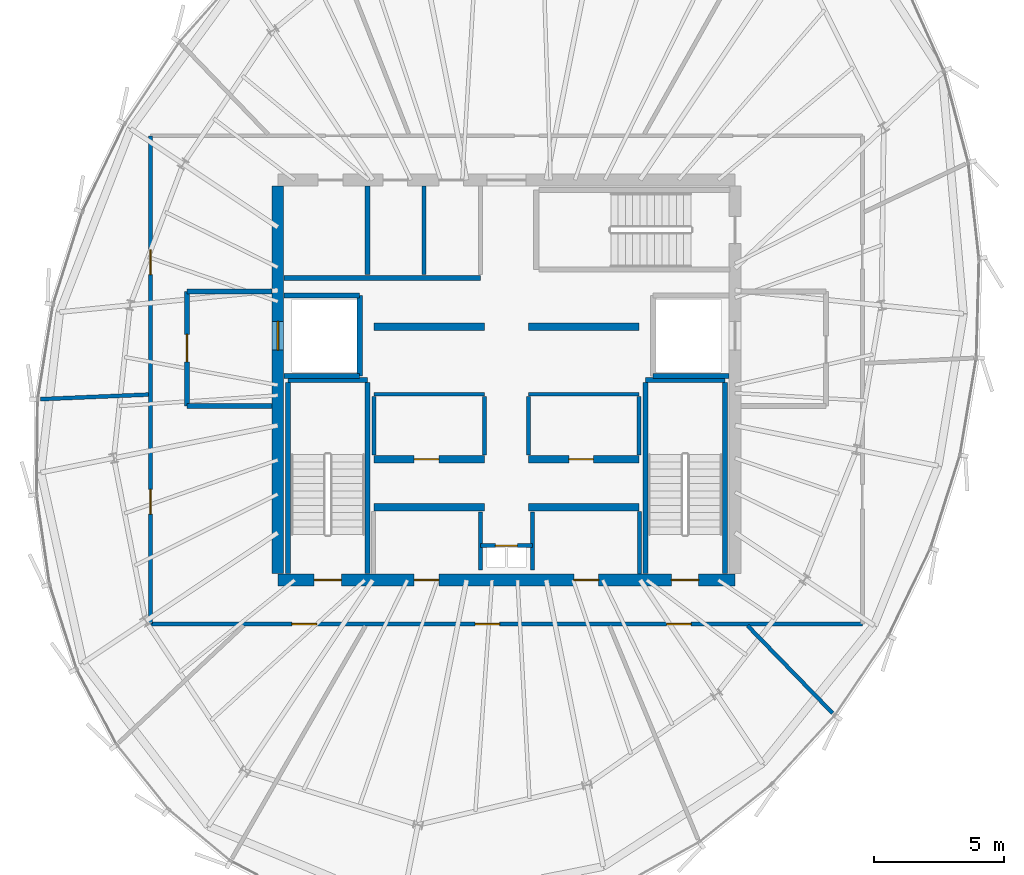
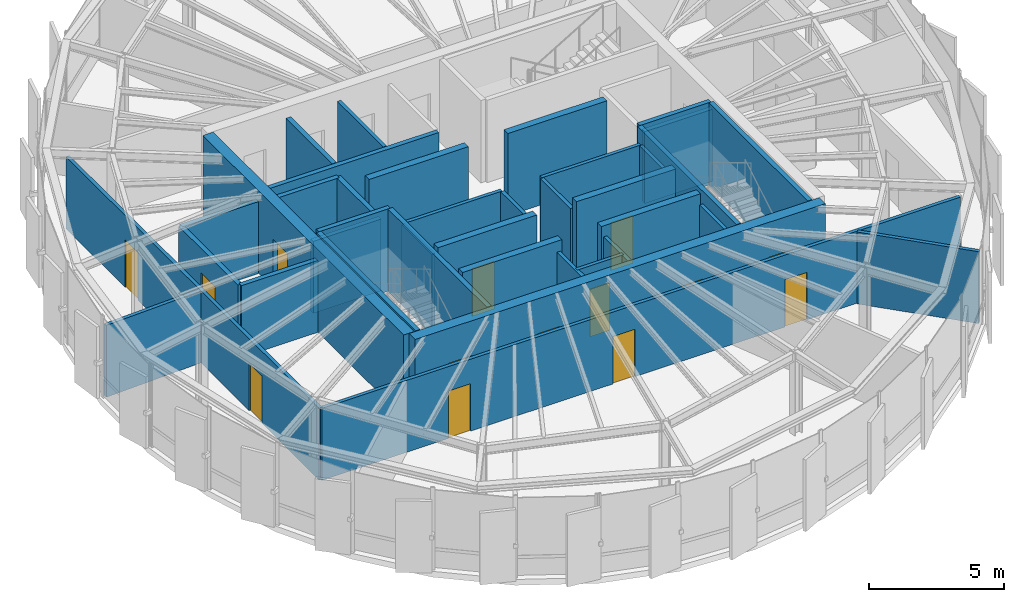
# One storey, part 22 of 27: 38 walls, 14 doors, 14 openings.
"""IFC4 building model written with IfcOpenShell, lengths in metres."""

from ifc_helpers import new_model, si_unit, direction, frame, frame_2d, origin, place, context, subcontext, project, spatial, rectangle, extrude, source, transform, mapped, material, layer, layer_set, type_object, element, fill, save


model = new_model("IFC4")

# Units and contexts
model_context = context("Model", 3, precision=1e-05, world=origin(), true_north=direction((0.0, 1.0)))
body_context = subcontext(model_context, "Body", "Model", "MODEL_VIEW")
ifc_project = project(units=[si_unit("LENGTHUNIT", "METRE"), si_unit("AREAUNIT", "SQUARE_METRE"), si_unit("VOLUMEUNIT", "CUBIC_METRE"), si_unit("PLANEANGLEUNIT", "RADIAN"), si_unit("MASSUNIT", "GRAM", prefix="KILO"), si_unit("THERMODYNAMICTEMPERATUREUNIT", "KELVIN")], contexts=[model_context])

# Site, building, storey
site_placement = place(None, origin())
site = spatial("IfcSite", under=ifc_project, at=site_placement, CompositionType="ELEMENT")
building_placement = place(site_placement, origin())
building = spatial("IfcBuilding", under=site, at=building_placement, Name="Kethvar Cultural Tower", CompositionType="ELEMENT")
storey_placement = place(building_placement, frame((0.0, 0.0, 308.300048828125)))
storey = spatial("IfcBuildingStorey", under=building, at=storey_placement, Name="L82", CompositionType="ELEMENT", Elevation=308.300048828125)

# Wall, openings, doors
ifc_material_1 = material(Name="Concrete C50/60", Category="concrete")
ifc_layer_1 = layer(ifc_material_1, 0.449951171875, Name="Concrete C50/60", Category="concrete")
ifc_layer_set_1 = layer_set([ifc_layer_1], Name="Concrete C50/60 (450 mm)")
wall_type_1 = type_object("IfcWallType", Name="WL-CORE-450", PredefinedType="SHEAR", material=ifc_layer_set_1)
wall_1_placement = place(storey_placement, frame((38.0, 20.10009765625, 0.0), z_axis=(0.0, 0.0, 1.0), x_axis=(1.0, 0.0, 0.0)))
wall_1 = element("IfcWall", 1, at=wall_1_placement, inside=storey, type_object=wall_type_1, Name="L82 Core Shear Wall S", PredefinedType="SHEAR", context=body_context, shape_type="SweptSolid", body=[
    extrude(rectangle(XDim=17.60009765625, YDim=0.449951171875, at=frame_2d((8.800048828125, 0.0))), origin(), (0.0, 0.0, 1.0), 3.73486328125),
])
opening_1_placement = place(wall_1_placement, frame((1.39990234375, 0.0, 0.0)))
opening_1 = element("IfcOpeningElement", 2, at=opening_1_placement, cuts=wall_1, Name="Opening D-L82-S1", PredefinedType="OPENING", context=body_context, shape_type="SweptSolid", body=[
    extrude(rectangle(XDim=1.050048828125, YDim=2.14990234375, at=frame_2d((0.52490234375, 1.074951171875))), frame((0.0, 0.23486328125, 0.0), z_axis=(0.0, -1.0, 0.0), x_axis=(1.0, 0.0, 0.0)), (0.0, 0.0, 1.0), 0.469970703125),
])
opening_2_placement = place(wall_1_placement, frame((15.14990234375, 0.0, 0.0)))
opening_2 = element("IfcOpeningElement", 3, at=opening_2_placement, cuts=wall_1, Name="Opening D-L82-ST2", PredefinedType="OPENING", context=body_context, shape_type="SweptSolid", body=[
    extrude(rectangle(XDim=1.050048828125, YDim=2.14990234375, at=frame_2d((0.52490234375, 1.074951171875))), frame((0.0, 0.23486328125, 0.0), z_axis=(0.0, -1.0, 0.0), x_axis=(1.0, 0.0, 0.0)), (0.0, 0.0, 1.0), 0.469970703125),
])
opening_3_placement = place(wall_1_placement, frame((5.25, 0.0, 0.0)))
opening_3 = element("IfcOpeningElement", 4, at=opening_3_placement, cuts=wall_1, Name="Opening D-L82-V1", PredefinedType="OPENING", context=body_context, shape_type="SweptSolid", body=[
    extrude(rectangle(XDim=0.949951171875, YDim=2.14990234375, at=frame_2d((0.47509765625, 1.074951171875))), frame((0.0, 0.23486328125, 0.0), z_axis=(0.0, -1.0, 0.0), x_axis=(1.0, 0.0, 0.0)), (0.0, 0.0, 1.0), 0.469970703125),
])
opening_4_placement = place(wall_1_placement, frame((11.39990234375, 0.0, 0.0)))
opening_4 = element("IfcOpeningElement", 5, at=opening_4_placement, cuts=wall_1, Name="Opening D-L82-V2", PredefinedType="OPENING", context=body_context, shape_type="SweptSolid", body=[
    extrude(rectangle(XDim=0.949951171875, YDim=2.14990234375, at=frame_2d((0.47509765625, 1.074951171875))), frame((0.0, 0.23486328125, 0.0), z_axis=(0.0, -1.0, 0.0), x_axis=(1.0, 0.0, 0.0)), (0.0, 0.0, 1.0), 0.469970703125),
])
ifc_material_2 = material(Name="Steel S355J2", Category="steel")
door_type_1 = type_object("IfcDoorType", Name="DR-FD60-1050", OperationType="NOTDEFINED", PredefinedType="DOOR", material=ifc_material_2)
shared_shape_1 = source(origin(), body_context, "Body", "SweptSolid", [
    extrude(rectangle(XDim=1.050048828125, YDim=2.14990234375, at=frame_2d((0.52490234375, 1.074951171875))), frame((0.0, 0.02490234375, 0.0), z_axis=(0.0, -1.0, 0.0), x_axis=(1.0, 0.0, 0.0)), (0.0, 0.0, 1.0), 0.050048828125),
])
door_1_placement = place(opening_1_placement, origin())
door_1 = element("IfcDoor", 6, at=door_1_placement, inside=storey, type_object=door_type_1, Name="L82 Exit Stair 1 Door", OperationType="SINGLE_SWING_LEFT", OverallHeight=2.14990234375, OverallWidth=1.050048828125, PredefinedType="DOOR", context=body_context, shape_type="MappedRepresentation", body=[
    mapped(shared_shape_1, transform((0.0, 0.0, 0.0), scale=1.0)),
])
fill(opening_1, door_1)
door_2_placement = place(opening_2_placement, origin())
door_2 = element("IfcDoor", 7, at=door_2_placement, inside=storey, type_object=door_type_1, Name="L82 Exit Stair 2 Door", OperationType="SINGLE_SWING_RIGHT", OverallHeight=2.14990234375, OverallWidth=1.050048828125, PredefinedType="DOOR", context=body_context, shape_type="MappedRepresentation", body=[
    mapped(shared_shape_1, transform((0.0, 0.0, 0.0), scale=1.0)),
])
fill(opening_2, door_2)
ifc_material_3 = material(Name="Architectural Oak Timber", Category="wood")
door_type_2 = type_object("IfcDoorType", Name="DR-FD30-950", OperationType="NOTDEFINED", PredefinedType="DOOR", material=ifc_material_3)
shared_shape_2 = source(origin(), body_context, "Body", "SweptSolid", [
    extrude(rectangle(XDim=0.949951171875, YDim=2.14990234375, at=frame_2d((0.47509765625, 1.074951171875))), frame((0.0, 0.02490234375, 0.0), z_axis=(0.0, -1.0, 0.0), x_axis=(1.0, 0.0, 0.0)), (0.0, 0.0, 1.0), 0.050048828125),
])
door_3_placement = place(opening_3_placement, origin())
door_3 = element("IfcDoor", 8, at=door_3_placement, inside=storey, type_object=door_type_2, Name="L82 Reclaimed West Room Door", OperationType="SINGLE_SWING_LEFT", OverallHeight=2.14990234375, OverallWidth=0.949951171875, PredefinedType="DOOR", context=body_context, shape_type="MappedRepresentation", body=[
    mapped(shared_shape_2, transform((0.0, 0.0, 0.0), scale=1.0)),
])
fill(opening_3, door_3)
door_4_placement = place(opening_4_placement, origin())
door_4 = element("IfcDoor", 9, at=door_4_placement, inside=storey, type_object=door_type_2, Name="L82 Reclaimed East Room Door", OperationType="SINGLE_SWING_RIGHT", OverallHeight=2.14990234375, OverallWidth=0.949951171875, PredefinedType="DOOR", context=body_context, shape_type="MappedRepresentation", body=[
    mapped(shared_shape_2, transform((0.0, 0.0, 0.0), scale=1.0)),
])
fill(opening_4, door_4)

# Wall, opening, door
wall_2_placement = place(storey_placement, frame((38.0, 35.260009765625, 0.0), z_axis=(0.0, 0.0, 1.0), x_axis=(0.0, -1.0, 0.0)))
wall_2 = element("IfcWall", 10, at=wall_2_placement, inside=storey, type_object=wall_type_1, Name="L82 Core Shear Wall W", PredefinedType="SHEAR", context=body_context, shape_type="SweptSolid", body=[
    extrude(rectangle(XDim=14.919921875, YDim=0.449951171875, at=frame_2d((7.4599609375, 0.0))), origin(), (0.0, 0.0, 1.0), 3.73486328125),
])
opening_5_placement = place(wall_2_placement, frame((5.2099609375, 0.0, 0.0)))
opening_5 = element("IfcOpeningElement", 11, at=opening_5_placement, cuts=wall_2, Name="Opening LD-1", PredefinedType="OPENING", context=body_context, shape_type="SweptSolid", body=[
    extrude(rectangle(XDim=1.10009765625, YDim=2.199951171875, at=frame_2d((0.550048828125, 1.10009765625))), frame((0.0, 0.23486328125, 0.0), z_axis=(0.0, -1.0, 0.0), x_axis=(1.0, 0.0, 0.0)), (0.0, 0.0, 1.0), 0.469970703125),
])
door_type_3 = type_object("IfcDoorType", Name="DR-LIFT-SLIDE-1100", OperationType="NOTDEFINED", PredefinedType="DOOR", material=ifc_material_2)
shared_shape_3 = source(origin(), body_context, "Body", "SweptSolid", [
    extrude(rectangle(XDim=1.10009765625, YDim=2.199951171875, at=frame_2d((0.550048828125, 1.10009765625))), frame((0.0, 0.02490234375, 0.0), z_axis=(0.0, -1.0, 0.0), x_axis=(1.0, 0.0, 0.0)), (0.0, 0.0, 1.0), 0.050048828125),
])
door_5_placement = place(opening_5_placement, origin())
door_5 = element("IfcDoor", 12, at=door_5_placement, inside=storey, type_object=door_type_3, Name="L82 Firefighting Lift Landing Door FFL-01", OperationType="SLIDING_TO_LEFT", OverallHeight=2.199951171875, OverallWidth=1.10009765625, PredefinedType="DOOR", context=body_context, shape_type="MappedRepresentation", body=[
    mapped(shared_shape_3, transform((0.0, 0.0, 0.0), scale=1.0)),
])
fill(opening_5, door_5)

ifc_material_4 = material(Name="Gypsum Fireboard Partition")
ifc_layer_2 = layer(ifc_material_4, 0.14990234375, Name="Gypsum Fireboard Partition")
ifc_layer_set_2 = layer_set([ifc_layer_2], Name="Gypsum Fireboard Partition (150 mm)")
wall_type_2 = type_object("IfcWallType", Name="WL-FIRE-150", PredefinedType="PARTITIONING", material=ifc_layer_set_2)
wall_3_placement = place(storey_placement, frame((45.800048828125, 21.419921875, 0.0), z_axis=(0.0, 0.0, 1.0), x_axis=(1.0, 0.0, 0.0)))
wall_3 = element("IfcWall", 13, at=wall_3_placement, inside=storey, type_object=wall_type_2, Name="L82 Core Riser Wall", PredefinedType="PARTITIONING", context=body_context, shape_type="SweptSolid", body=[
    extrude(rectangle(XDim=2.0, YDim=0.14990234375, at=frame_2d((1.0, 0.0))), origin(), (0.0, 0.0, 1.0), 3.260009765625),
])
opening_6_placement = place(wall_3_placement, frame((0.574951171875, 0.0, 0.0)))
opening_6 = element("IfcOpeningElement", 14, at=opening_6_placement, cuts=wall_3, Name="Opening D-L82-RS", PredefinedType="OPENING", context=body_context, shape_type="SweptSolid", body=[
    extrude(rectangle(XDim=0.85009765625, YDim=2.14990234375, at=frame_2d((0.425048828125, 1.074951171875))), frame((0.0, 0.0849609375, 0.0), z_axis=(0.0, -1.0, 0.0), x_axis=(1.0, 0.0, 0.0)), (0.0, 0.0, 1.0), 0.169921875),
])
door_type_4 = type_object("IfcDoorType", Name="DR-FD30-850", OperationType="NOTDEFINED", PredefinedType="DOOR", material=ifc_material_2)
shared_shape_4 = source(origin(), body_context, "Body", "SweptSolid", [
    extrude(rectangle(XDim=0.85009765625, YDim=2.14990234375, at=frame_2d((0.425048828125, 1.074951171875))), frame((0.0, 0.02490234375, 0.0), z_axis=(0.0, -1.0, 0.0), x_axis=(1.0, 0.0, 0.0)), (0.0, 0.0, 1.0), 0.050048828125),
])
door_6_placement = place(opening_6_placement, origin())
door_6 = element("IfcDoor", 15, at=door_6_placement, inside=storey, type_object=door_type_4, Name="L82 Service Riser Access Door", OperationType="SINGLE_SWING_LEFT", OverallHeight=2.14990234375, OverallWidth=0.85009765625, PredefinedType="DOOR", context=body_context, shape_type="MappedRepresentation", body=[
    mapped(shared_shape_4, transform((0.0, 0.0, 0.0), scale=1.0)),
])
fill(opening_6, door_6)

# Walls
for number, where, z_axis, x_axis, name in (
    (16, (45.800048828125, 20.47998046875, 0.0), (0.0, 0.0, 1.0), (0.0, 1.0, 0.0), "L82 Core Riser West Wall"),
    (17, (47.800048828125, 20.47998046875, 0.0), (0.0, 0.0, 1.0), (0.0, 1.0, 0.0), "L82 Core Riser East Wall"),
):
    element("IfcWall", number, at=place(storey_placement, frame(where, z_axis=z_axis, x_axis=x_axis)), inside=storey, type_object=wall_type_2, Name=name, PredefinedType="PARTITIONING", context=body_context, shape_type="SweptSolid", body=[
        extrude(rectangle(XDim=2.239990234375, YDim=0.14990234375, at=frame_2d((1.1201171875, 0.0))), origin(), (0.0, 0.0, 1.0), 3.260009765625),
    ])
wall_4_placement = place(storey_placement, frame((51.919921875, 20.3349609375, 0.0), z_axis=(0.0, 0.0, 1.0), x_axis=(0.0, 1.0, 0.0)))
element("IfcWall", 18, at=wall_4_placement, inside=storey, type_object=wall_type_2, Name="L82 Reclaimed East Outer Wall", PredefinedType="PARTITIONING", context=body_context, shape_type="SweptSolid", body=[
    extrude(rectangle(XDim=2.39501953125, YDim=0.14990234375, at=frame_2d((1.197509765625, 0.0))), origin(), (0.0, 0.0, 1.0), 3.260009765625),
])
for number, where, z_axis, x_axis, name in (
    (19, (41.699951171875, 27.25, 0.0), (0.0, 0.0, 1.0), (1.0, 0.0, 0.0), "L82 Reclaimed Mid Wall W"),
    (20, (47.64990234375, 27.25, 0.0), (0.0, 0.0, 1.0), (1.0, 0.0, 0.0), "L82 Reclaimed Mid Wall E"),
):
    element("IfcWall", number, at=place(storey_placement, frame(where, z_axis=z_axis, x_axis=x_axis)), inside=storey, type_object=wall_type_2, Name=name, PredefinedType="PARTITIONING", context=body_context, shape_type="SweptSolid", body=[
        extrude(rectangle(XDim=4.25, YDim=0.14990234375, at=frame_2d((2.125, 0.0))), origin(), (0.0, 0.0, 1.0), 3.260009765625),
    ])
for number, where, z_axis, x_axis, name in (
    (21, (41.699951171875, 24.919921875, 0.0), (0.0, 0.0, 1.0), (0.0, 1.0, 0.0), "L82 Reclaimed Mid Outer W"),
    (22, (45.949951171875, 24.919921875, 0.0), (0.0, 0.0, 1.0), (0.0, 1.0, 0.0), "L82 Reclaimed Mid Spine W"),
    (23, (47.64990234375, 24.919921875, 0.0), (0.0, 0.0, 1.0), (0.0, 1.0, 0.0), "L82 Reclaimed Mid Spine E"),
    (24, (51.89990234375, 24.919921875, 0.0), (0.0, 0.0, 1.0), (0.0, 1.0, 0.0), "L82 Reclaimed Mid Outer E"),
):
    element("IfcWall", number, at=place(storey_placement, frame(where, z_axis=z_axis, x_axis=x_axis)), inside=storey, type_object=wall_type_2, Name=name, PredefinedType="PARTITIONING", context=body_context, shape_type="SweptSolid", body=[
        extrude(rectangle(XDim=2.239990234375, YDim=0.14990234375, at=frame_2d((1.1201171875, 0.0))), origin(), (0.0, 0.0, 1.0), 3.260009765625),
    ])

# Wall, openings, doors
wall_5_placement = place(storey_placement, frame((33.10009765625, 18.39990234375, 0.0), z_axis=(0.0, 0.0, 1.0), x_axis=(1.0, 0.0, 0.0)))
wall_5 = element("IfcWall", 25, at=wall_5_placement, inside=storey, type_object=wall_type_2, Name="L82 Corridor Rated Wall S", PredefinedType="PARTITIONING", context=body_context, shape_type="SweptSolid", body=[
    extrude(rectangle(XDim=27.39990234375, YDim=0.14990234375, at=frame_2d((13.699951171875, 0.0))), origin(), (0.0, 0.0, 1.0), 3.260009765625),
])
opening_7_placement = place(wall_5_placement, frame((5.43798828125, 0.0, 0.0)))
opening_7 = element("IfcOpeningElement", 26, at=opening_7_placement, cuts=wall_5, Name="Opening D-L82-02", PredefinedType="OPENING", context=body_context, shape_type="SweptSolid", body=[
    extrude(rectangle(XDim=0.949951171875, YDim=2.14990234375, at=frame_2d((0.47509765625, 1.074951171875))), frame((0.0, 0.0849609375, 0.0), z_axis=(0.0, -1.0, 0.0), x_axis=(1.0, 0.0, 0.0)), (0.0, 0.0, 1.0), 0.169921875),
])
opening_8_placement = place(wall_5_placement, frame((12.490234375, 0.0, 0.0)))
opening_8 = element("IfcOpeningElement", 27, at=opening_8_placement, cuts=wall_5, Name="Opening D-L82-03", PredefinedType="OPENING", context=body_context, shape_type="SweptSolid", body=[
    extrude(rectangle(XDim=0.949951171875, YDim=2.14990234375, at=frame_2d((0.47509765625, 1.074951171875))), frame((0.0, 0.0849609375, 0.0), z_axis=(0.0, -1.0, 0.0), x_axis=(1.0, 0.0, 0.0)), (0.0, 0.0, 1.0), 0.169921875),
])
opening_9_placement = place(wall_5_placement, frame((19.862548828125, 0.0, 0.0)))
opening_9 = element("IfcOpeningElement", 28, at=opening_9_placement, cuts=wall_5, Name="Opening D-L82-04", PredefinedType="OPENING", context=body_context, shape_type="SweptSolid", body=[
    extrude(rectangle(XDim=0.949951171875, YDim=2.14990234375, at=frame_2d((0.47509765625, 1.074951171875))), frame((0.0, 0.0849609375, 0.0), z_axis=(0.0, -1.0, 0.0), x_axis=(1.0, 0.0, 0.0)), (0.0, 0.0, 1.0), 0.169921875),
])
door_7_placement = place(opening_7_placement, origin())
door_7 = element("IfcDoor", 29, at=door_7_placement, inside=storey, type_object=door_type_2, Name="L82 Primary AHU Mechanical Plant Room 02 Door", OperationType="SINGLE_SWING_RIGHT", OverallHeight=2.14990234375, OverallWidth=0.949951171875, PredefinedType="DOOR", context=body_context, shape_type="MappedRepresentation", body=[
    mapped(shared_shape_2, transform((0.0, 0.0, 0.0), scale=1.0)),
])
fill(opening_7, door_7)
door_8_placement = place(opening_8_placement, origin())
door_8 = element("IfcDoor", 30, at=door_8_placement, inside=storey, type_object=door_type_2, Name="L82 Broadcast Transmitter Plant Room 03 Door", OperationType="SINGLE_SWING_LEFT", OverallHeight=2.14990234375, OverallWidth=0.949951171875, PredefinedType="DOOR", context=body_context, shape_type="MappedRepresentation", body=[
    mapped(shared_shape_2, transform((0.0, 0.0, 0.0), scale=1.0)),
])
fill(opening_8, door_8)
door_9_placement = place(opening_9_placement, origin())
door_9 = element("IfcDoor", 31, at=door_9_placement, inside=storey, type_object=door_type_2, Name="L82 MV Transformer Plant Room 04 Door", OperationType="SINGLE_SWING_RIGHT", OverallHeight=2.14990234375, OverallWidth=0.949951171875, PredefinedType="DOOR", context=body_context, shape_type="MappedRepresentation", body=[
    mapped(shared_shape_2, transform((0.0, 0.0, 0.0), scale=1.0)),
])
fill(opening_9, door_9)

wall_6_placement = place(storey_placement, frame((33.10009765625, 37.199951171875, 0.0), z_axis=(0.0, 0.0, 1.0), x_axis=(0.0, -1.0, 0.0)))
wall_6 = element("IfcWall", 32, at=wall_6_placement, inside=storey, type_object=wall_type_2, Name="L82 Corridor Rated Wall W", PredefinedType="PARTITIONING", context=body_context, shape_type="SweptSolid", body=[
    extrude(rectangle(XDim=18.800048828125, YDim=0.14990234375, at=frame_2d((9.39990234375, 0.0))), origin(), (0.0, 0.0, 1.0), 3.260009765625),
])
opening_10_placement = place(wall_6_placement, frame((13.615234375, 0.0, 0.0)))
opening_10 = element("IfcOpeningElement", 33, at=opening_10_placement, cuts=wall_6, Name="Opening D-L82-01", PredefinedType="OPENING", context=body_context, shape_type="SweptSolid", body=[
    extrude(rectangle(XDim=0.949951171875, YDim=2.14990234375, at=frame_2d((0.47509765625, 1.074951171875))), frame((0.0, 0.0849609375, 0.0), z_axis=(0.0, -1.0, 0.0), x_axis=(1.0, 0.0, 0.0)), (0.0, 0.0, 1.0), 0.169921875),
])
opening_11_placement = place(wall_6_placement, frame((4.39501953125, 0.0, 0.0)))
opening_11 = element("IfcOpeningElement", 34, at=opening_11_placement, cuts=wall_6, Name="Opening D-L82-10", PredefinedType="OPENING", context=body_context, shape_type="SweptSolid", body=[
    extrude(rectangle(XDim=0.949951171875, YDim=2.14990234375, at=frame_2d((0.47509765625, 1.074951171875))), frame((0.0, 0.0849609375, 0.0), z_axis=(0.0, -1.0, 0.0), x_axis=(1.0, 0.0, 0.0)), (0.0, 0.0, 1.0), 0.169921875),
])
door_10_placement = place(opening_10_placement, origin())
door_10 = element("IfcDoor", 35, at=door_10_placement, inside=storey, type_object=door_type_2, Name="L82 Crown Chiller Plant Room 01 Door", OperationType="SINGLE_SWING_LEFT", OverallHeight=2.14990234375, OverallWidth=0.949951171875, PredefinedType="DOOR", context=body_context, shape_type="MappedRepresentation", body=[
    mapped(shared_shape_2, transform((0.0, 0.0, 0.0), scale=1.0)),
])
fill(opening_10, door_10)
door_11_placement = place(opening_11_placement, origin())
door_11 = element("IfcDoor", 36, at=door_11_placement, inside=storey, type_object=door_type_2, Name="L82 Telemetry Equipment Plant Room 10 Door", OperationType="SINGLE_SWING_RIGHT", OverallHeight=2.14990234375, OverallWidth=0.949951171875, PredefinedType="DOOR", context=body_context, shape_type="MappedRepresentation", body=[
    mapped(shared_shape_2, transform((0.0, 0.0, 0.0), scale=1.0)),
])
fill(opening_11, door_11)

# Walls
wall_7_placement = place(storey_placement, frame((33.02001953125, 27.236572265625, 0.0), z_axis=(0.0, 0.0, 1.0), x_axis=(-0.999104990003, -0.042299160176, 0.0)))
element("IfcWall", 37, at=wall_7_placement, inside=storey, type_object=wall_type_2, Name="L82 Radial Partition Wall 01", PredefinedType="PARTITIONING", context=body_context, shape_type="SweptSolid", body=[
    extrude(rectangle(XDim=4.161376953125, YDim=0.14990234375, at=frame_2d((2.08056640625, 0.0))), origin(), (0.0, 0.0, 1.0), 3.260009765625),
])
wall_8_placement = place(storey_placement, frame((56.080078125, 18.342529296875, 0.0), z_axis=(0.0, 0.0, 1.0), x_axis=(0.69689016939, -0.717177866228, 0.0)))
element("IfcWall", 38, at=wall_8_placement, inside=storey, type_object=wall_type_2, Name="L82 Radial Partition Wall 05", PredefinedType="PARTITIONING", context=body_context, shape_type="SweptSolid", body=[
    extrude(rectangle(XDim=4.705322265625, YDim=0.14990234375, at=frame_2d((2.3525390625, 0.0))), origin(), (0.0, 0.0, 1.0), 3.260009765625),
])
ifc_material_5 = material(Name="Concrete C40/50", Category="concrete")
ifc_layer_3 = layer(ifc_material_5, 0.199951171875, Name="Concrete C40/50", Category="concrete")
ifc_layer_set_3 = layer_set([ifc_layer_3], Name="Concrete C40/50 (200 mm)")
wall_type_3 = type_object("IfcWallType", Name="WL-FIRE-200", PredefinedType="PARTITIONING", material=ifc_layer_set_3)
wall_9_placement = place(storey_placement, frame((41.14990234375, 27.949951171875, 0.0), z_axis=(0.0, 0.0, 1.0), x_axis=(0.0, 1.0, 0.0)))
element("IfcWall", 39, at=wall_9_placement, inside=storey, type_object=wall_type_3, Name="L82 FFL-01 Shaft Inner Wall", PredefinedType="PARTITIONING", context=body_context, shape_type="SweptSolid", body=[
    extrude(rectangle(XDim=3.10009765625, YDim=0.199951171875, at=frame_2d((1.550048828125, 0.0))), origin(), (0.0, 0.0, 1.0), 3.260009765625),
])
for number, where, z_axis, x_axis, name in (
    (40, (38.235107421875, 27.949951171875, 0.0), (0.0, 0.0, 1.0), (1.0, 0.0, 0.0), "L82 FFL-01 Shaft South Wall"),
    (41, (38.235107421875, 31.050048828125, 0.0), (0.0, 0.0, 1.0), (1.0, 0.0, 0.0), "L82 FFL-01 Shaft North Wall"),
):
    element("IfcWall", number, at=place(storey_placement, frame(where, z_axis=z_axis, x_axis=x_axis)), inside=storey, type_object=wall_type_3, Name=name, PredefinedType="PARTITIONING", context=body_context, shape_type="SweptSolid", body=[
        extrude(rectangle(XDim=2.914794921875, YDim=0.199951171875, at=frame_2d((1.45751953125, 0.0))), origin(), (0.0, 0.0, 1.0), 3.260009765625),
    ])

# Wall, opening, door
wall_10_placement = place(storey_placement, frame((34.5, 31.199951171875, 0.0), z_axis=(0.0, 0.0, 1.0), x_axis=(0.0, -1.0, 0.0)))
wall_10 = element("IfcWall", 42, at=wall_10_placement, inside=storey, type_object=wall_type_3, Name="L82 Firefighting Lobby 1 Wall", PredefinedType="PARTITIONING", context=body_context, shape_type="SweptSolid", body=[
    extrude(rectangle(XDim=4.39990234375, YDim=0.199951171875, at=frame_2d((2.199951171875, 0.0))), origin(), (0.0, 0.0, 1.0), 3.260009765625),
])
opening_12_placement = place(wall_10_placement, frame((1.64990234375, 0.0, 0.0)))
opening_12 = element("IfcOpeningElement", 43, at=opening_12_placement, cuts=wall_10, Name="Opening D-L82-F1", PredefinedType="OPENING", context=body_context, shape_type="SweptSolid", body=[
    extrude(rectangle(XDim=1.050048828125, YDim=2.14990234375, at=frame_2d((0.52490234375, 1.074951171875))), frame((0.0, 0.10986328125, 0.0), z_axis=(0.0, -1.0, 0.0), x_axis=(1.0, 0.0, 0.0)), (0.0, 0.0, 1.0), 0.219970703125),
])
door_12_placement = place(opening_12_placement, origin())
door_12 = element("IfcDoor", 44, at=door_12_placement, inside=storey, type_object=door_type_1, Name="L82 Firefighting Lobby 1 Fire Door", OperationType="SINGLE_SWING_LEFT", OverallHeight=2.14990234375, OverallWidth=1.050048828125, PredefinedType="DOOR", context=body_context, shape_type="MappedRepresentation", body=[
    mapped(shared_shape_1, transform((0.0, 0.0, 0.0), scale=1.0)),
])
fill(opening_12, door_12)

# Walls
for number, where, z_axis, x_axis, name in (
    (45, (34.5, 26.800048828125, 0.0), (0.0, 0.0, 1.0), (1.0, 0.0, 0.0), "L82 FF Lobby 1 South Wall"),
    (46, (34.5, 31.199951171875, 0.0), (0.0, 0.0, 1.0), (1.0, 0.0, 0.0), "L82 FF Lobby 1 North Wall"),
):
    element("IfcWall", number, at=place(storey_placement, frame(where, z_axis=z_axis, x_axis=x_axis)), inside=storey, type_object=wall_type_3, Name=name, PredefinedType="PARTITIONING", context=body_context, shape_type="SweptSolid", body=[
        extrude(rectangle(XDim=3.264892578125, YDim=0.199951171875, at=frame_2d((1.63232421875, 0.0))), origin(), (0.0, 0.0, 1.0), 3.260009765625),
    ])
wall_11_placement = place(storey_placement, frame((52.449951171875, 27.949951171875, 0.0), z_axis=(0.0, 0.0, 1.0), x_axis=(1.0, 0.0, 0.0)))
element("IfcWall", 47, at=wall_11_placement, inside=storey, type_object=wall_type_3, Name="L82 FFL-02 Shaft South Wall", PredefinedType="PARTITIONING", context=body_context, shape_type="SweptSolid", body=[
    extrude(rectangle(XDim=2.9150390625, YDim=0.199951171875, at=frame_2d((1.45751953125, 0.0))), origin(), (0.0, 0.0, 1.0), 3.260009765625),
])
wall_12_placement = place(storey_placement, frame((41.449951171875, 31.85009765625, 0.0), z_axis=(0.0, 0.0, 1.0), x_axis=(0.0, 1.0, 0.0)))
element("IfcWall", 48, at=wall_12_placement, inside=storey, type_object=wall_type_3, Name="L82 NW Core Pocket Wall", PredefinedType="PARTITIONING", context=body_context, shape_type="SweptSolid", body=[
    extrude(rectangle(XDim=3.414794921875, YDim=0.199951171875, at=frame_2d((1.70751953125, 0.0))), origin(), (0.0, 0.0, 1.0), 3.260009765625),
])
wall_13_placement = place(storey_placement, frame((38.235107421875, 31.72998046875, 0.0), z_axis=(0.0, 0.0, 1.0), x_axis=(1.0, 0.0, 0.0)))
element("IfcWall", 49, at=wall_13_placement, inside=storey, type_object=wall_type_3, Name="L82 North Core Sanitary South Wall", PredefinedType="PARTITIONING", context=body_context, shape_type="SweptSolid", body=[
    extrude(rectangle(XDim=7.56494140625, YDim=0.199951171875, at=frame_2d((3.782470703125, 0.0))), origin(), (0.0, 0.0, 1.0), 3.260009765625),
])
ifc_material_6 = material(Name="Moisture-Resistant Sanitary Chase Wall")
ifc_layer_4 = layer(ifc_material_6, 0.14990234375, Name="Moisture-Resistant Sanitary Chase Wall")
ifc_layer_set_4 = layer_set([ifc_layer_4], Name="Moisture-Resistant Sanitary Chase Wall (150 mm)")
wall_type_4 = type_object("IfcWallType", Name="WL-PLUMB-150", PredefinedType="PLUMBINGWALL", material=ifc_layer_set_4)
wall_14_placement = place(storey_placement, frame((43.6201171875, 31.85009765625, 0.0), z_axis=(0.0, 0.0, 1.0), x_axis=(0.0, 1.0, 0.0)))
element("IfcWall", 50, at=wall_14_placement, inside=storey, type_object=wall_type_4, Name="L82 Sanitary Plumbing Wall", PredefinedType="PLUMBINGWALL", context=body_context, shape_type="SweptSolid", body=[
    extrude(rectangle(XDim=3.414794921875, YDim=0.14990234375, at=frame_2d((1.70751953125, 0.0))), origin(), (0.0, 0.0, 1.0), 3.260009765625),
])
ifc_layer_5 = layer(ifc_material_1, 0.300048828125, Name="Concrete C50/60", Category="concrete")
ifc_layer_set_5 = layer_set([ifc_layer_5], Name="Concrete C50/60 (300 mm)")
wall_type_5 = type_object("IfcWallType", Name="WL-SHAFT-300", PredefinedType="SHEAR", material=ifc_layer_set_5)
for number, where, z_axis, x_axis, name in (
    (51, (41.699951171875, 22.89990234375, 0.0), (0.0, 0.0, 1.0), (1.0, 0.0, 0.0), "L82 Core Lift Spine Wall MID1W"),
    (52, (47.64990234375, 22.89990234375, 0.0), (0.0, 0.0, 1.0), (1.0, 0.0, 0.0), "L82 Core Lift Spine Wall MID1E"),
):
    element("IfcWall", number, at=place(storey_placement, frame(where, z_axis=z_axis, x_axis=x_axis)), inside=storey, type_object=wall_type_5, Name=name, PredefinedType="SHEAR", context=body_context, shape_type="SweptSolid", body=[
        extrude(rectangle(XDim=4.25, YDim=0.300048828125, at=frame_2d((2.125, 0.0))), origin(), (0.0, 0.0, 1.0), 3.73486328125),
    ])

# Wall, opening, door
wall_15_placement = place(storey_placement, frame((41.699951171875, 24.75, 0.0), z_axis=(0.0, 0.0, 1.0), x_axis=(1.0, 0.0, 0.0)))
wall_15 = element("IfcWall", 53, at=wall_15_placement, inside=storey, type_object=wall_type_5, Name="L82 Core Lift Spine Wall MID2W", PredefinedType="SHEAR", context=body_context, shape_type="SweptSolid", body=[
    extrude(rectangle(XDim=4.25, YDim=0.300048828125, at=frame_2d((2.125, 0.0))), origin(), (0.0, 0.0, 1.0), 3.73486328125),
])
opening_13_placement = place(wall_15_placement, frame((1.550048828125, 0.0, 0.0)))
opening_13 = element("IfcOpeningElement", 54, at=opening_13_placement, cuts=wall_15, Name="Opening D-L82-M1", PredefinedType="OPENING", context=body_context, shape_type="SweptSolid", body=[
    extrude(rectangle(XDim=0.949951171875, YDim=2.14990234375, at=frame_2d((0.47509765625, 1.074951171875))), frame((0.0, 0.159912109375, 0.0), z_axis=(0.0, -1.0, 0.0), x_axis=(1.0, 0.0, 0.0)), (0.0, 0.0, 1.0), 0.320068359375),
])
door_13_placement = place(opening_13_placement, origin())
door_13 = element("IfcDoor", 55, at=door_13_placement, inside=storey, type_object=door_type_2, Name="L82 Mid West Room Door", OperationType="SINGLE_SWING_LEFT", OverallHeight=2.14990234375, OverallWidth=0.949951171875, PredefinedType="DOOR", context=body_context, shape_type="MappedRepresentation", body=[
    mapped(shared_shape_2, transform((0.0, 0.0, 0.0), scale=1.0)),
])
fill(opening_13, door_13)

wall_16_placement = place(storey_placement, frame((47.64990234375, 24.75, 0.0), z_axis=(0.0, 0.0, 1.0), x_axis=(1.0, 0.0, 0.0)))
wall_16 = element("IfcWall", 56, at=wall_16_placement, inside=storey, type_object=wall_type_5, Name="L82 Core Lift Spine Wall MID2E", PredefinedType="SHEAR", context=body_context, shape_type="SweptSolid", body=[
    extrude(rectangle(XDim=4.25, YDim=0.300048828125, at=frame_2d((2.125, 0.0))), origin(), (0.0, 0.0, 1.0), 3.73486328125),
])
opening_14_placement = place(wall_16_placement, frame((1.550048828125, 0.0, 0.0)))
opening_14 = element("IfcOpeningElement", 57, at=opening_14_placement, cuts=wall_16, Name="Opening D-L82-M2", PredefinedType="OPENING", context=body_context, shape_type="SweptSolid", body=[
    extrude(rectangle(XDim=0.949951171875, YDim=2.14990234375, at=frame_2d((0.47509765625, 1.074951171875))), frame((0.0, 0.159912109375, 0.0), z_axis=(0.0, -1.0, 0.0), x_axis=(1.0, 0.0, 0.0)), (0.0, 0.0, 1.0), 0.320068359375),
])
door_14_placement = place(opening_14_placement, origin())
door_14 = element("IfcDoor", 58, at=door_14_placement, inside=storey, type_object=door_type_2, Name="L82 Mid East Room Door", OperationType="SINGLE_SWING_RIGHT", OverallHeight=2.14990234375, OverallWidth=0.949951171875, PredefinedType="DOOR", context=body_context, shape_type="MappedRepresentation", body=[
    mapped(shared_shape_2, transform((0.0, 0.0, 0.0), scale=1.0)),
])
fill(opening_14, door_14)

# Walls
for number, where, z_axis, x_axis, name in (
    (59, (41.699951171875, 29.85009765625, 0.0), (0.0, 0.0, 1.0), (1.0, 0.0, 0.0), "L82 Core Lift Spine Wall MID3W"),
    (60, (47.64990234375, 29.85009765625, 0.0), (0.0, 0.0, 1.0), (1.0, 0.0, 0.0), "L82 Core Lift Spine Wall MID3E"),
):
    element("IfcWall", number, at=place(storey_placement, frame(where, z_axis=z_axis, x_axis=x_axis)), inside=storey, type_object=wall_type_5, Name=name, PredefinedType="SHEAR", context=body_context, shape_type="SweptSolid", body=[
        extrude(rectangle(XDim=4.25, YDim=0.300048828125, at=frame_2d((2.125, 0.0))), origin(), (0.0, 0.0, 1.0), 3.73486328125),
    ])
ifc_layer_6 = layer(ifc_material_1, 0.199951171875, Name="Concrete C50/60", Category="concrete")
ifc_layer_set_6 = layer_set([ifc_layer_6], Name="Concrete C50/60 (200 mm)")
wall_type_6 = type_object("IfcWallType", Name="WL-STSHAFT-200", PredefinedType="SHEAR", material=ifc_layer_set_6)
wall_17_placement = place(storey_placement, frame((38.389892578125, 27.800048828125, 0.0), z_axis=(0.0, 0.0, 1.0), x_axis=(1.0, 0.0, 0.0)))
element("IfcWall", 61, at=wall_17_placement, inside=storey, type_object=wall_type_6, Name="L82 ST-01 Stair Shaft Wall FAR", PredefinedType="SHEAR", context=body_context, shape_type="SweptSolid", body=[
    extrude(rectangle(XDim=3.06005859375, YDim=0.199951171875, at=frame_2d((1.530029296875, 0.0))), origin(), (0.0, 0.0, 1.0), 3.73486328125),
])
for number, where, z_axis, x_axis, name in (
    (62, (41.449951171875, 27.699951171875, 0.0), (0.0, 0.0, 1.0), (0.0, -1.0, 0.0), "L82 ST-01 Stair Shaft Wall LEFT"),
    (63, (38.389892578125, 20.35009765625, 0.0), (0.0, 0.0, 1.0), (0.0, 1.0, 0.0), "L82 ST-01 Stair Shaft Wall RIGHT"),
):
    element("IfcWall", number, at=place(storey_placement, frame(where, z_axis=z_axis, x_axis=x_axis)), inside=storey, type_object=wall_type_6, Name=name, PredefinedType="SHEAR", context=body_context, shape_type="SweptSolid", body=[
        extrude(rectangle(XDim=7.349853515625, YDim=0.199951171875, at=frame_2d((3.6748046875, 0.0))), origin(), (0.0, 0.0, 1.0), 3.73486328125),
    ])
wall_18_placement = place(storey_placement, frame((52.14990234375, 27.800048828125, 0.0), z_axis=(0.0, 0.0, 1.0), x_axis=(1.0, 0.0, 0.0)))
element("IfcWall", 64, at=wall_18_placement, inside=storey, type_object=wall_type_6, Name="L82 ST-02 Stair Shaft Wall FAR", PredefinedType="SHEAR", context=body_context, shape_type="SweptSolid", body=[
    extrude(rectangle(XDim=3.06005859375, YDim=0.199951171875, at=frame_2d((1.530029296875, 0.0))), origin(), (0.0, 0.0, 1.0), 3.73486328125),
])
for number, where, z_axis, x_axis, name in (
    (65, (55.2099609375, 27.699951171875, 0.0), (0.0, 0.0, 1.0), (0.0, -1.0, 0.0), "L82 ST-02 Stair Shaft Wall LEFT"),
    (66, (52.14990234375, 20.35009765625, 0.0), (0.0, 0.0, 1.0), (0.0, 1.0, 0.0), "L82 ST-02 Stair Shaft Wall RIGHT"),
):
    element("IfcWall", number, at=place(storey_placement, frame(where, z_axis=z_axis, x_axis=x_axis)), inside=storey, type_object=wall_type_6, Name=name, PredefinedType="SHEAR", context=body_context, shape_type="SweptSolid", body=[
        extrude(rectangle(XDim=7.349853515625, YDim=0.199951171875, at=frame_2d((3.6748046875, 0.0))), origin(), (0.0, 0.0, 1.0), 3.73486328125),
    ])

save(model, "model.ifc")
